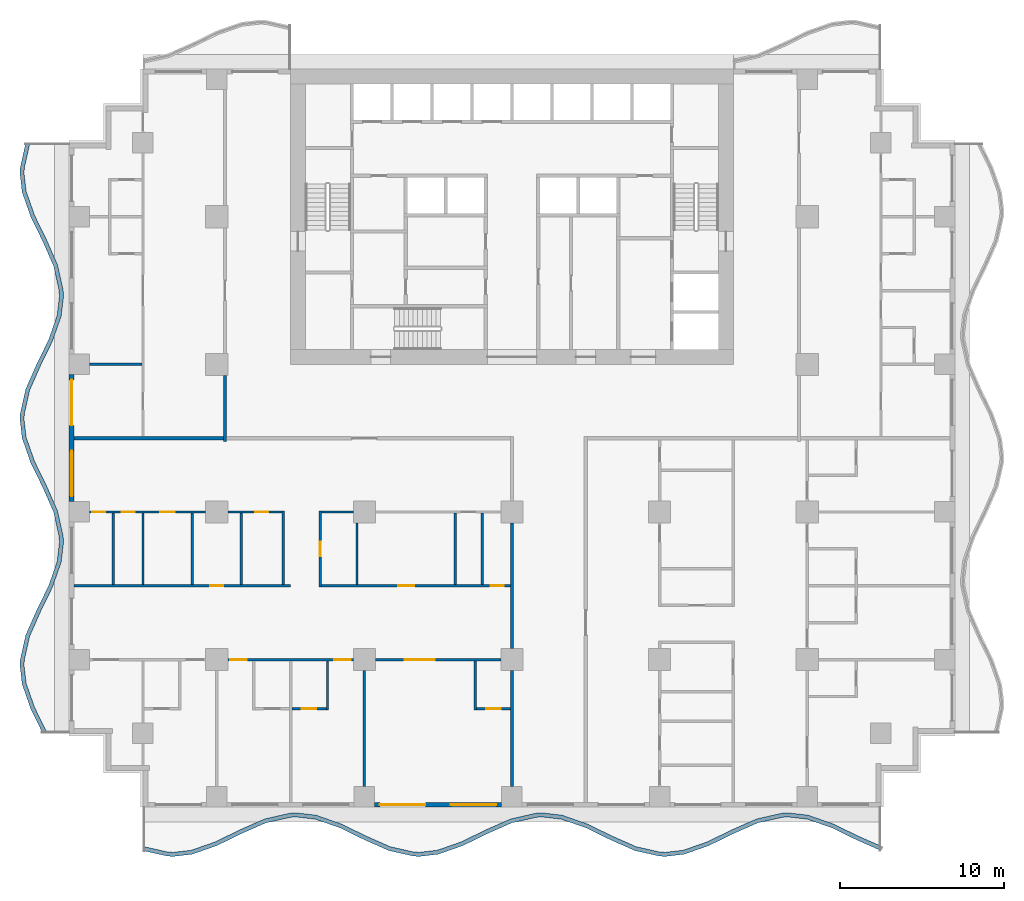
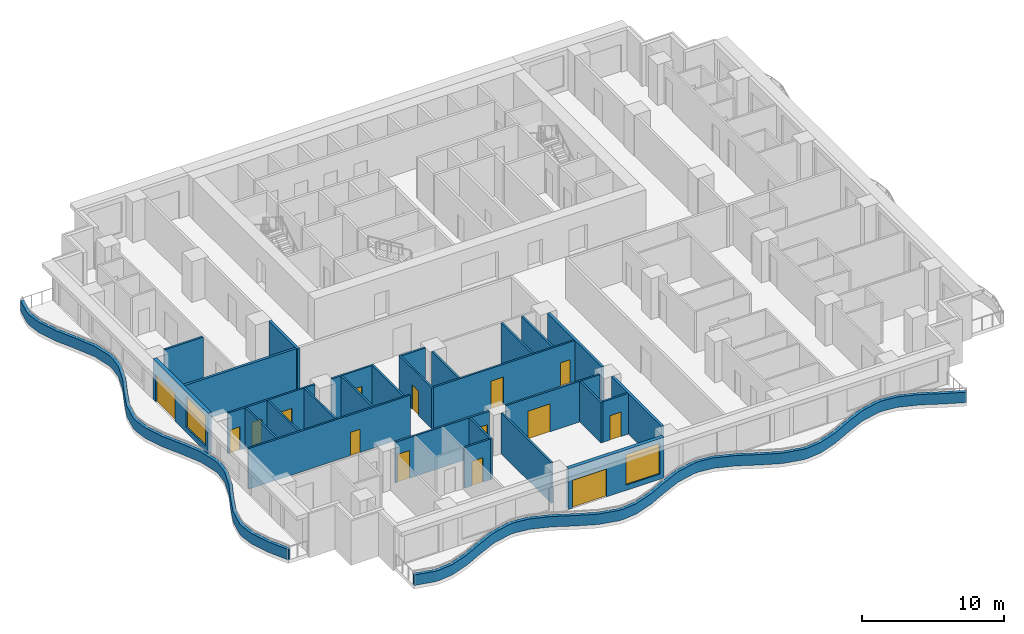
# One storey, part 2 of 14: 30 walls, 15 doors, 2 windows, 17 openings.
"""IFC4 building model written with IfcOpenShell, lengths in metres."""

import ifcopenshell
import ifcopenshell.guid

model = None  # the IFC model being written
_history = None  # IfcOwnerHistory: only IFC2X3 demands one
_inside = {}  # id of a spatial element -> (the spatial element, [elements in it])
_under = {}  # id of a project, library or spatial element -> (it, [spatial elements below it])
_declared = {}  # id of a project -> (the project, [libraries it declares])
_typed = {}  # id of a type object -> (the type object, [elements of that type])
_made_of = {}  # id of a material, layer set ... -> (it, [elements and type objects made of it])


def new_model(schema):
    """Start an empty IFC model of exactly this schema.

    Asked for "IFC4X3", IfcOpenShell would pick the latest addendum, in which some entities
    have other attributes; the version numbers below select the first issue.
    IFC2X3 requires an IfcOwnerHistory on every rooted entity: one is made here for all.
    """
    global model, _history
    if schema == "IFC4X3":
        model = ifcopenshell.file(schema_version=(4, 3, 0, 0))
    else:
        model = ifcopenshell.file(schema=schema)
    _inside.clear()
    _under.clear()
    _declared.clear()
    _typed.clear()
    _made_of.clear()
    _history = None
    if model.schema == "IFC2X3":
        org = make("IfcOrganization", Name="unknown")
        user = make(
            "IfcPersonAndOrganization",
            ThePerson=make("IfcPerson", FamilyName="unknown"),
            TheOrganization=org,
        )
        app = make(
            "IfcApplication",
            ApplicationDeveloper=org,
            Version="unknown",
            ApplicationFullName="unknown",
            ApplicationIdentifier="unknown",
        )
        _history = make(
            "IfcOwnerHistory",
            OwningUser=user,
            OwningApplication=app,
            ChangeAction="ADDED",
            CreationDate=0,
        )
    return model


def make(cls, **values):
    """One entity of the class cls with the attributes given. An attribute that is None is left unset."""
    return model.create_entity(
        cls, **{name: value for name, value in values.items() if value is not None}
    )


def rooted(cls, **values):
    """An entity with a GlobalId (a new one), such as an element, a storey or a relation."""
    return make(cls, GlobalId=ifcopenshell.guid.new(), OwnerHistory=_history, **values)


def si_unit(unit_type, name, prefix=None):
    """IfcSIUnit, for example si_unit("LENGTHUNIT", "METRE", prefix="MILLI")."""
    return make("IfcSIUnit", UnitType=unit_type, Prefix=prefix, Name=name)


def assignment(units):
    """IfcUnitAssignment: the units of a project."""
    return None if units is None else make("IfcUnitAssignment", Units=units)


def point(xyz):
    """IfcCartesianPoint."""
    return None if xyz is None else make("IfcCartesianPoint", Coordinates=xyz)


def direction(xyz):
    """IfcDirection."""
    return None if xyz is None else make("IfcDirection", DirectionRatios=xyz)


def frame(location, z_axis=None, x_axis=None):
    """IfcAxis2Placement3D, a coordinate frame: its origin and axes. An axis left out is left unset."""
    return make(
        "IfcAxis2Placement3D",
        Location=point(location),
        Axis=direction(z_axis),
        RefDirection=direction(x_axis),
    )


def frame_2d(location, x_axis=None):
    """IfcAxis2Placement2D, a coordinate frame in the plane: its origin and x axis."""
    return make(
        "IfcAxis2Placement2D", Location=point(location), RefDirection=direction(x_axis)
    )


def origin():
    """The frame at (0, 0, 0) with its axes left unset."""
    return frame((0.0, 0.0, 0.0))


def place(relative_to, where):
    """IfcLocalPlacement: puts the frame where relative to a parent placement (None: the world)."""
    return make(
        "IfcLocalPlacement", PlacementRelTo=relative_to, RelativePlacement=where
    )


def context(
    kind, dimensions, precision=None, world=None, true_north=None, identifier=None
):
    """IfcGeometricRepresentationContext, for example the 3D "Model" context."""
    return make(
        "IfcGeometricRepresentationContext",
        ContextIdentifier=identifier,
        ContextType=kind,
        CoordinateSpaceDimension=dimensions,
        Precision=precision,
        WorldCoordinateSystem=world,
        TrueNorth=true_north,
    )


def subcontext(parent, identifier, kind, view, scale=None):
    """IfcGeometricRepresentationSubContext, for example "Body" below "Model"."""
    return make(
        "IfcGeometricRepresentationSubContext",
        ContextIdentifier=identifier,
        ContextType=kind,
        ParentContext=parent,
        TargetScale=scale,
        TargetView=view,
    )


def project(units=None, contexts=None):
    """IfcProject with its units and contexts."""
    return rooted(
        "IfcProject",
        Name="project",
        RepresentationContexts=contexts,
        UnitsInContext=assignment(units),
    )


def spatial(cls, under=None, at=None, **own):
    """A site, building, storey or space (cls), placed at a placement, below another one or the project."""
    s = rooted(cls, ObjectPlacement=at, **own)
    if under is not None:
        _under.setdefault(under.id(), (under, []))[1].append(s)
    return s


def polyline(points):
    """IfcPolyline through the points."""
    return make("IfcPolyline", Points=[point(p) for p in points])


def profile(cls, at=None, kind="AREA", **sizes):
    """A parametric profile (cls). Its sizes go by their IFC names, for example OverallWidth=200.0."""
    return make(cls, ProfileType=kind, Position=at, **sizes)


def rectangle(**sizes):
    """IfcRectangleProfileDef."""
    return profile("IfcRectangleProfileDef", **sizes)


def outline(outer, holes=None, kind="AREA"):
    """IfcArbitraryClosedProfileDef: a profile drawn as a closed curve; with holes, ...WithVoids."""
    if holes is None:
        return make("IfcArbitraryClosedProfileDef", ProfileType=kind, OuterCurve=outer)
    return make(
        "IfcArbitraryProfileDefWithVoids",
        ProfileType=kind,
        OuterCurve=outer,
        InnerCurves=holes,
    )


def extrude(swept, where, along, depth):
    """IfcExtrudedAreaSolid: the profile swept, set in the frame where, extruded along a direction by depth."""
    return make(
        "IfcExtrudedAreaSolid",
        SweptArea=swept,
        Position=where,
        ExtrudedDirection=direction(along),
        Depth=depth,
    )


def shape(context_of_items, identifier, shape_type, items):
    """IfcShapeRepresentation: the items that make up one representation, for example the "Body"."""
    return make(
        "IfcShapeRepresentation",
        ContextOfItems=context_of_items,
        RepresentationIdentifier=identifier,
        RepresentationType=shape_type,
        Items=items,
    )


def material(Name=None, Category=None):
    """IfcMaterial."""
    return make("IfcMaterial", Name=Name, Category=Category)


def layer(
    of_material, thickness, ventilated=None, Name=None, Category=None, Priority=None
):
    """IfcMaterialLayer: one layer of a wall or slab, of a material (None: an air gap)."""
    return make(
        "IfcMaterialLayer",
        Material=of_material,
        LayerThickness=thickness,
        IsVentilated=ventilated,
        Name=Name,
        Category=Category,
        Priority=Priority,
    )


def layer_set(layers, Name=None):
    """IfcMaterialLayerSet."""
    return make("IfcMaterialLayerSet", MaterialLayers=layers, LayerSetName=Name)


def made_of(thing, what):
    """Note that an element or type object is made of a material, layer set ...; save() writes the relation."""
    if what is not None:
        _made_of.setdefault(what.id(), (what, []))[1].append(thing)
    return thing


def type_object(cls, material=None, **own):
    """A type object (cls), such as IfcWallType, which elements share."""
    return made_of(rooted(cls, **own), material)


def element(
    cls,
    number,
    at=None,
    inside=None,
    cuts=None,
    type_object=None,
    material=None,
    context=None,
    identifier="Body",
    shape_type=None,
    held_by="IfcProductDefinitionShape",
    body=None,
    shapes=None,
    **own,
):
    """One element of the class cls, such as IfcWall. Its Tag is "e" and its number.

    at: its placement. inside: the storey or other place that contains it. cuts: it is an
    opening in that element (IfcRelVoidsElement). A single representation is given by context,
    identifier, shape_type and body (its items); several are given by shapes. held_by: the class
    of the entity that holds the representations. save() writes the other relations.
    """
    e = rooted(cls, Tag="e%d" % number, ObjectPlacement=at, **own)
    if body is not None:
        shapes = [shape(context, identifier, shape_type, body)]
    if shapes is not None:
        e.Representation = make(held_by, Representations=shapes)
    if inside is not None:
        _inside.setdefault(inside.id(), (inside, []))[1].append(e)
    if cuts is not None:
        rooted(
            "IfcRelVoidsElement", RelatingBuildingElement=cuts, RelatedOpeningElement=e
        )
    if type_object is not None:
        _typed.setdefault(type_object.id(), (type_object, []))[1].append(e)
    return made_of(e, material)


def fill(opening, filler):
    """IfcRelFillsElement: the door or window that sits in an opening."""
    return rooted(
        "IfcRelFillsElement",
        RelatingOpeningElement=opening,
        RelatedBuildingElement=filler,
    )


def aggregate(whole, parts):
    """IfcRelAggregates: a whole, such as a stair, and the parts it consists of."""
    return rooted("IfcRelAggregates", RelatingObject=whole, RelatedObjects=parts)


def save(model, path):
    """Write the relations noted so far, then the file.

    IfcRelAggregates (storeys below a building ...), IfcRelContainedInSpatialStructure (elements
    in a storey), IfcRelDefinesByType, IfcRelAssociatesMaterial and IfcRelDeclares: one each for
    every whole, place, type object, material and project.
    """
    for whole, parts in _under.values():
        aggregate(whole, parts)
    for where, things in _inside.values():
        rooted(
            "IfcRelContainedInSpatialStructure",
            RelatedElements=things,
            RelatingStructure=where,
        )
    for kind, things in _typed.values():
        rooted("IfcRelDefinesByType", RelatedObjects=things, RelatingType=kind)
    for what, things in _made_of.values():
        rooted("IfcRelAssociatesMaterial", RelatedObjects=things, RelatingMaterial=what)
    for by, libraries in _declared.values():
        rooted("IfcRelDeclares", RelatingContext=by, RelatedDefinitions=libraries)
    model.write(path)


model = new_model("IFC4")

# Units and contexts
model_context = context("Model", 3, precision=1e-05, world=origin(), true_north=direction((0.0, 1.0)))
body_context = subcontext(model_context, "Body", "Model", "MODEL_VIEW")
ifc_project = project(units=[si_unit("LENGTHUNIT", "METRE"), si_unit("AREAUNIT", "SQUARE_METRE"), si_unit("VOLUMEUNIT", "CUBIC_METRE"), si_unit("PLANEANGLEUNIT", "RADIAN"), si_unit("MASSUNIT", "GRAM", prefix="KILO")], contexts=[model_context])

# Site, building, storey
site_placement = place(None, origin())
site = spatial("IfcSite", under=ifc_project, at=site_placement, CompositionType="ELEMENT")
building_placement = place(site_placement, origin())
building = spatial("IfcBuilding", under=site, at=building_placement, Name="Orbiselva Terraces", CompositionType="ELEMENT")
storey_placement = place(building_placement, frame((0.0, 0.0, 111.2)))
storey = spatial("IfcBuildingStorey", under=building, at=storey_placement, Name="L28", CompositionType="ELEMENT", Elevation=111.2)

# Walls
ifc_material_1 = material(Name="Concrete C40/50", Category="concrete")
ifc_layer_1 = layer(ifc_material_1, 0.25)
ifc_layer_set_1 = layer_set([ifc_layer_1], Name="Concrete C40/50")
wall_type_1 = type_object("IfcWallType", Name="ENV-PLANTER-250x900", PredefinedType="USERDEFINED", material=ifc_layer_set_1)
wall_1_placement = place(storey_placement, origin())
element("IfcWall", 1, at=wall_1_placement, inside=storey, type_object=wall_type_1, Name="Balcony planter L28 S", ObjectType="PLANTER", PredefinedType="USERDEFINED", context=body_context, shape_type="SweptSolid", body=[
    extrude(outline(polyline([(-22.5, -25.148528), (-21.0, -25.485226), (-20.625, -25.5), (-19.5, -25.369208), (-18.0, -24.844789), (-16.5, -24.112279), (-15.0, -23.451472), (-13.5, -23.114774), (-13.125, -23.1), (-12.0, -23.230792), (-10.5, -23.755211), (-9.0, -24.487721), (-7.5, -25.148528), (-6.0, -25.485226), (-5.625, -25.5), (-4.5, -25.369208), (-3.0, -24.844789), (-1.5, -24.112279), (0.0, -23.451472), (1.5, -23.114774), (1.875, -23.1), (3.0, -23.230792), (4.5, -23.755211), (6.0, -24.487721), (7.5, -25.148528), (9.0, -25.485226), (9.375, -25.5), (10.5, -25.369208), (12.0, -24.844789), (13.5, -24.112279), (15.0, -23.451472), (16.5, -23.114774), (16.875, -23.1), (18.0, -23.230792), (19.5, -23.755211), (21.0, -24.487721), (22.5, -25.148528), (22.600788, -24.919745), (21.105286, -24.260919), (19.59644, -23.524089), (18.056371, -22.985662), (16.884572, -22.849429), (16.467435, -22.865863), (14.921492, -23.212874), (13.394714, -23.885477), (11.90356, -24.613667), (10.443629, -25.124078), (9.365428, -25.249429), (9.032565, -25.236315), (7.578508, -24.90993), (6.105286, -24.260919), (4.59644, -23.524089), (3.056371, -22.985662), (1.884572, -22.849429), (1.467435, -22.865863), (-0.078508, -23.212874), (-1.605286, -23.885477), (-3.09644, -24.613667), (-4.556371, -25.124078), (-5.634572, -25.249429), (-5.967435, -25.236315), (-7.421492, -24.90993), (-8.894714, -24.260919), (-10.40356, -23.524089), (-11.943629, -22.985662), (-13.115428, -22.849429), (-13.532565, -22.865863), (-15.078508, -23.212874), (-16.605286, -23.885477), (-18.09644, -24.613667), (-19.556371, -25.124078), (-20.634572, -25.249429), (-20.967435, -25.236315), (-22.445246, -24.904598), (-22.5, -25.148528)])), origin(), (0.0, 0.0, 1.0), 0.9),
])
wall_2_placement = place(storey_placement, origin())
element("IfcWall", 2, at=wall_2_placement, inside=storey, type_object=wall_type_1, Name="Balcony planter L28 W", ObjectType="PLANTER", PredefinedType="USERDEFINED", context=body_context, shape_type="SweptSolid", body=[
    extrude(outline(polyline([(-29.648528, 18.0), (-29.985226, 16.5), (-30.0, 16.125), (-29.869208, 15.0), (-29.344789, 13.5), (-28.612279, 12.0), (-27.951472, 10.5), (-27.614774, 9.0), (-27.6, 8.625), (-27.730792, 7.5), (-28.255211, 6.0), (-28.987721, 4.5), (-29.648528, 3.0), (-29.985226, 1.5), (-30.0, 1.125), (-29.869208, 0.0), (-29.344789, -1.5), (-28.612279, -3.0), (-27.951472, -4.5), (-27.614774, -6.0), (-27.6, -6.375), (-27.730792, -7.5), (-28.255211, -9.0), (-28.987721, -10.5), (-29.648528, -12.0), (-29.985226, -13.5), (-30.0, -13.875), (-29.869208, -15.0), (-29.344789, -16.5), (-28.612279, -18.0), (-28.387634, -17.890297), (-29.113667, -16.40356), (-29.624078, -14.943629), (-29.749429, -13.865428), (-29.736315, -13.532565), (-29.40993, -12.078508), (-28.760919, -10.605286), (-28.024089, -9.09644), (-27.485662, -7.556371), (-27.349429, -6.384572), (-27.365863, -5.967435), (-27.712874, -4.421492), (-28.385477, -2.894714), (-29.113667, -1.40356), (-29.624078, 0.056371), (-29.749429, 1.134572), (-29.736315, 1.467435), (-29.40993, 2.921492), (-28.760919, 4.394714), (-28.024089, 5.90356), (-27.485662, 7.443629), (-27.349429, 8.615428), (-27.365863, 9.032565), (-27.712874, 10.578508), (-28.385477, 12.105286), (-29.113667, 13.59644), (-29.624078, 15.056371), (-29.749429, 16.134572), (-29.736315, 16.467435), (-29.404598, 17.945246), (-29.648528, 18.0)])), origin(), (0.0, 0.0, 1.0), 0.9),
])

# Wall, openings, door, window
ifc_material_2 = material(Name="Terracotta cladding on masonry backing", Category="masonry")
ifc_layer_2 = layer(ifc_material_2, 0.3)
ifc_layer_set_2 = layer_set([ifc_layer_2], Name="Terracotta cladding on masonry backing")
wall_type_2 = type_object("IfcWallType", Name="ENV-WALL-TERRACOTTA-300", PredefinedType="SOLIDWALL", material=ifc_layer_set_2)
wall_3_placement = place(storey_placement, frame((-0.625, -22.35, 0.0), z_axis=(0.0, 0.0, 1.0), x_axis=(-1.0, 0.0, 0.0)))
wall_3 = element("IfcWall", 3, at=wall_3_placement, inside=storey, type_object=wall_type_2, Name="Facade wall L28 S", PredefinedType="SOLIDWALL", context=body_context, shape_type="SweptSolid", body=[
    extrude(rectangle(XDim=7.75, YDim=0.3, at=frame_2d((3.875, 0.0))), origin(), (0.0, 0.0, 1.0), 3.5),
])
opening_1_placement = place(wall_3_placement, frame((4.65, 0.0, 0.0)))
opening_1 = element("IfcOpeningElement", 4, at=opening_1_placement, cuts=wall_3, Name="Opening Z2-D-E18", PredefinedType="OPENING", context=body_context, shape_type="SweptSolid", body=[
    extrude(rectangle(XDim=2.775, YDim=2.4, at=frame_2d((1.3875, 1.2))), frame((0.0, 0.16, 0.0), z_axis=(0.0, -1.0, 0.0), x_axis=(1.0, 0.0, 0.0)), (0.0, 0.0, 1.0), 0.32),
])
opening_2_placement = place(wall_3_placement, frame((0.325, 0.0, 0.45)))
opening_2 = element("IfcOpeningElement", 5, at=opening_2_placement, cuts=wall_3, Name="Opening WN6", PredefinedType="OPENING", context=body_context, shape_type="SweptSolid", body=[
    extrude(rectangle(XDim=2.775, YDim=2.65, at=frame_2d((1.3875, 1.325))), frame((0.0, 0.16, 0.0), z_axis=(0.0, -1.0, 0.0), x_axis=(1.0, 0.0, 0.0)), (0.0, 0.0, 1.0), 0.32),
])
ifc_material_3 = material(Name="Clear low-e glazing in aluminium frame", Category="aluminium")
door_type_1 = type_object("IfcDoorType", Name="BALCONY DOOR 2775 X 2400", OperationType="DOUBLE_DOOR_SLIDING", PredefinedType="DOOR", material=ifc_material_3)
door_1_placement = place(opening_1_placement, origin())
door_1 = element("IfcDoor", 6, at=door_1_placement, inside=storey, type_object=door_type_1, Name="Z2-D-E18", OperationType="SINGLE_SWING_LEFT", OverallHeight=2.4, OverallWidth=2.775, PredefinedType="DOOR", context=body_context, shape_type="SweptSolid", body=[
    extrude(rectangle(XDim=2.775, YDim=2.4, at=frame_2d((1.3875, 1.2))), frame((0.0, 0.025, 0.0), z_axis=(0.0, -1.0, 0.0), x_axis=(1.0, 0.0, 0.0)), (0.0, 0.0, 1.0), 0.05),
])
fill(opening_1, door_1)
window_type = type_object("IfcWindowType", Name="WINDOW 2775 X 2650 S450", PartitioningType="TRIPLE_PANEL_VERTICAL", PredefinedType="WINDOW", material=ifc_material_3)
window_1_placement = place(opening_2_placement, origin())
window_1 = element("IfcWindow", 7, at=window_1_placement, inside=storey, type_object=window_type, Name="Window L28 S", OverallHeight=2.65, OverallWidth=2.775, PartitioningType="SINGLE_PANEL", PredefinedType="WINDOW", context=body_context, shape_type="SweptSolid", body=[
    extrude(rectangle(XDim=2.775, YDim=2.65, at=frame_2d((1.3875, 1.325))), frame((0.0, 0.03, 0.0), z_axis=(0.0, -1.0, 0.0), x_axis=(1.0, 0.0, 0.0)), (0.0, 0.0, 1.0), 0.06),
])
fill(opening_2, window_1)

wall_4_placement = place(storey_placement, frame((-26.85, -3.875, 0.0), z_axis=(0.0, 0.0, 1.0), x_axis=(0.0, 1.0, 0.0)))
wall_4 = element("IfcWall", 8, at=wall_4_placement, inside=storey, type_object=wall_type_2, Name="Facade wall L28 W", PredefinedType="SOLIDWALL", context=body_context, shape_type="SweptSolid", body=[
    extrude(rectangle(XDim=7.75, YDim=0.3, at=frame_2d((3.875, 0.0))), origin(), (0.0, 0.0, 1.0), 3.5),
])
opening_3_placement = place(wall_4_placement, frame((4.65, 0.0, 0.0)))
opening_3 = element("IfcOpeningElement", 9, at=opening_3_placement, cuts=wall_4, Name="Opening Z2-D-E22", PredefinedType="OPENING", context=body_context, shape_type="SweptSolid", body=[
    extrude(rectangle(XDim=2.775, YDim=2.4, at=frame_2d((1.3875, 1.2))), frame((0.0, 0.16, 0.0), z_axis=(0.0, -1.0, 0.0), x_axis=(1.0, 0.0, 0.0)), (0.0, 0.0, 1.0), 0.32),
])
opening_4_placement = place(wall_4_placement, frame((0.325, 0.0, 0.45)))
opening_4 = element("IfcOpeningElement", 10, at=opening_4_placement, cuts=wall_4, Name="Opening WN6", PredefinedType="OPENING", context=body_context, shape_type="SweptSolid", body=[
    extrude(rectangle(XDim=2.775, YDim=2.65, at=frame_2d((1.3875, 1.325))), frame((0.0, 0.16, 0.0), z_axis=(0.0, -1.0, 0.0), x_axis=(1.0, 0.0, 0.0)), (0.0, 0.0, 1.0), 0.32),
])
door_2_placement = place(opening_3_placement, origin())
door_2 = element("IfcDoor", 11, at=door_2_placement, inside=storey, type_object=door_type_1, Name="Z2-D-E22", OperationType="SINGLE_SWING_LEFT", OverallHeight=2.4, OverallWidth=2.775, PredefinedType="DOOR", context=body_context, shape_type="SweptSolid", body=[
    extrude(rectangle(XDim=2.775, YDim=2.4, at=frame_2d((1.3875, 1.2))), frame((0.0, 0.025, 0.0), z_axis=(0.0, -1.0, 0.0), x_axis=(1.0, 0.0, 0.0)), (0.0, 0.0, 1.0), 0.05),
])
fill(opening_3, door_2)
window_2_placement = place(opening_4_placement, origin())
window_2 = element("IfcWindow", 12, at=window_2_placement, inside=storey, type_object=window_type, Name="Window L28 W", OverallHeight=2.65, OverallWidth=2.775, PartitioningType="SINGLE_PANEL", PredefinedType="WINDOW", context=body_context, shape_type="SweptSolid", body=[
    extrude(rectangle(XDim=2.775, YDim=2.65, at=frame_2d((1.3875, 1.325))), frame((0.0, 0.03, 0.0), z_axis=(0.0, -1.0, 0.0), x_axis=(1.0, 0.0, 0.0)), (0.0, 0.0, 1.0), 0.06),
])
fill(opening_4, window_2)

# Walls
ifc_material_4 = material(Name="Plasterboard on steel stud partition", Category="steel")
ifc_layer_3 = layer(ifc_material_4, 0.2)
ifc_layer_set_3 = layer_set([ifc_layer_3], Name="Plasterboard on steel stud partition")
wall_type_3 = type_object("IfcWallType", Name="UNIT-ENTRANCE-WALL-200", PredefinedType="PARTITIONING", material=ifc_layer_set_3)
wall_5_placement = place(storey_placement, frame((-17.5, -0.2, 0.0), z_axis=(0.0, 0.0, 1.0), x_axis=(0.0, 1.0, 0.0)))
element("IfcWall", 13, at=wall_5_placement, inside=storey, type_object=wall_type_3, Name="PARTITION L28-055", PredefinedType="PARTITIONING", context=body_context, shape_type="SweptSolid", body=[
    extrude(rectangle(XDim=4.025, YDim=0.2, at=frame_2d((2.0125, 0.0))), origin(), (0.0, 0.0, 1.0), 3.5),
])
wall_6_placement = place(storey_placement, frame((0.0, -21.25, 0.0), z_axis=(0.0, 0.0, 1.0), x_axis=(0.0, 1.0, 0.0)))
element("IfcWall", 14, at=wall_6_placement, inside=storey, type_object=wall_type_3, Name="PARTITION L28-069", PredefinedType="PARTITIONING", context=body_context, shape_type="SweptSolid", body=[
    extrude(rectangle(XDim=7.075, YDim=0.2, at=frame_2d((3.5375, 0.0))), origin(), (0.0, 0.0, 1.0), 3.5),
])
wall_7_placement = place(storey_placement, frame((0.0, -12.825, 0.0), z_axis=(0.0, 0.0, 1.0), x_axis=(0.0, 1.0, 0.0)))
element("IfcWall", 15, at=wall_7_placement, inside=storey, type_object=wall_type_3, Name="PARTITION L28-070", PredefinedType="PARTITIONING", context=body_context, shape_type="SweptSolid", body=[
    extrude(rectangle(XDim=7.65, YDim=0.2, at=frame_2d((3.825, 0.0))), origin(), (0.0, 0.0, 1.0), 3.5),
])

# Wall, opening, door
ifc_layer_4 = layer(ifc_material_4, 0.15)
ifc_layer_set_4 = layer_set([ifc_layer_4], Name="Plasterboard on steel stud partition")
wall_type_4 = type_object("IfcWallType", Name="UNIT-PARTITION-150", PredefinedType="PARTITIONING", material=ifc_layer_set_4)
wall_8_placement = place(storey_placement, frame((-13.425, -16.5, 0.0), z_axis=(0.0, 0.0, 1.0), x_axis=(1.0, 0.0, 0.0)))
wall_8 = element("IfcWall", 16, at=wall_8_placement, inside=storey, type_object=wall_type_4, Name="PARTITION L28-005", PredefinedType="PARTITIONING", context=body_context, shape_type="SweptSolid", body=[
    extrude(rectangle(XDim=2.1, YDim=0.15, at=frame_2d((1.05, 0.0))), origin(), (0.0, 0.0, 1.0), 3.5),
])
opening_5_placement = place(wall_8_placement, frame((0.6, 0.0, 0.0)))
opening_5 = element("IfcOpeningElement", 17, at=opening_5_placement, cuts=wall_8, Name="Opening Z2-D-28", PredefinedType="OPENING", context=body_context, shape_type="SweptSolid", body=[
    extrude(rectangle(XDim=0.9, YDim=2.1, at=frame_2d((0.45, 1.05))), frame((0.0, 0.085, 0.0), z_axis=(0.0, -1.0, 0.0), x_axis=(1.0, 0.0, 0.0)), (0.0, 0.0, 1.0), 0.17),
])
ifc_material_5 = material(Name="Painted timber door leaf", Category="wood")
door_type_2 = type_object("IfcDoorType", Name="BATH DOOR 900", OperationType="NOTDEFINED", PredefinedType="DOOR", material=ifc_material_5)
door_3_placement = place(opening_5_placement, origin())
door_3 = element("IfcDoor", 18, at=door_3_placement, inside=storey, type_object=door_type_2, Name="Z2-D-28", OperationType="SINGLE_SWING_LEFT", OverallHeight=2.1, OverallWidth=0.9, PredefinedType="DOOR", context=body_context, shape_type="SweptSolid", body=[
    extrude(rectangle(XDim=0.9, YDim=2.1, at=frame_2d((0.45, 1.05))), frame((0.0, 0.025, 0.0), z_axis=(0.0, -1.0, 0.0), x_axis=(1.0, 0.0, 0.0)), (0.0, 0.0, 1.0), 0.05),
])
fill(opening_5, door_3)

wall_9_placement = place(storey_placement, frame((-2.175, -16.5, 0.0), z_axis=(0.0, 0.0, 1.0), x_axis=(1.0, 0.0, 0.0)))
wall_9 = element("IfcWall", 19, at=wall_9_placement, inside=storey, type_object=wall_type_4, Name="PARTITION L28-006", PredefinedType="PARTITIONING", context=body_context, shape_type="SweptSolid", body=[
    extrude(rectangle(XDim=2.075, YDim=0.15, at=frame_2d((1.0375, 0.0))), origin(), (0.0, 0.0, 1.0), 3.5),
])
opening_6_placement = place(wall_9_placement, frame((0.6, 0.0, 0.0)))
opening_6 = element("IfcOpeningElement", 20, at=opening_6_placement, cuts=wall_9, Name="Opening Z2-D-26", PredefinedType="OPENING", context=body_context, shape_type="SweptSolid", body=[
    extrude(rectangle(XDim=0.9, YDim=2.1, at=frame_2d((0.45, 1.05))), frame((0.0, 0.085, 0.0), z_axis=(0.0, -1.0, 0.0), x_axis=(1.0, 0.0, 0.0)), (0.0, 0.0, 1.0), 0.17),
])
door_4_placement = place(opening_6_placement, origin())
door_4 = element("IfcDoor", 21, at=door_4_placement, inside=storey, type_object=door_type_2, Name="Z2-D-26", OperationType="SINGLE_SWING_RIGHT", OverallHeight=2.1, OverallWidth=0.9, PredefinedType="DOOR", context=body_context, shape_type="SweptSolid", body=[
    extrude(rectangle(XDim=0.9, YDim=2.1, at=frame_2d((0.45, 1.05))), frame((0.0, 0.025, 0.0), z_axis=(0.0, -1.0, 0.0), x_axis=(1.0, 0.0, 0.0)), (0.0, 0.0, 1.0), 0.05),
])
fill(opening_6, door_4)

# Wall, openings, doors
wall_10_placement = place(storey_placement, frame((-9.675, -13.5, 0.0), z_axis=(0.0, 0.0, 1.0), x_axis=(-1.0, 0.0, 0.0)))
wall_10 = element("IfcWall", 22, at=wall_10_placement, inside=storey, type_object=wall_type_4, Name="PARTITION L28-010", PredefinedType="PARTITIONING", context=body_context, shape_type="SweptSolid", body=[
    extrude(rectangle(XDim=7.65, YDim=0.15, at=frame_2d((3.825, 0.0))), origin(), (0.0, 0.0, 1.0), 3.5),
])
opening_7_placement = place(wall_10_placement, frame((0.15, 0.0, 0.0)))
opening_7 = element("IfcOpeningElement", 23, at=opening_7_placement, cuts=wall_10, Name="Opening Z2-D-27", PredefinedType="OPENING", context=body_context, shape_type="SweptSolid", body=[
    extrude(rectangle(XDim=1.0, YDim=2.4, at=frame_2d((0.5, 1.2))), frame((0.0, 0.085, 0.0), z_axis=(0.0, -1.0, 0.0), x_axis=(1.0, 0.0, 0.0)), (0.0, 0.0, 1.0), 0.17),
])
opening_8_placement = place(wall_10_placement, frame((6.5, 0.0, 0.0)))
opening_8 = element("IfcOpeningElement", 24, at=opening_8_placement, cuts=wall_10, Name="Opening Z2-D-29", PredefinedType="OPENING", context=body_context, shape_type="SweptSolid", body=[
    extrude(rectangle(XDim=1.0, YDim=2.4, at=frame_2d((0.5, 1.2))), frame((0.0, 0.085, 0.0), z_axis=(0.0, -1.0, 0.0), x_axis=(1.0, 0.0, 0.0)), (0.0, 0.0, 1.0), 0.17),
])
door_type_3 = type_object("IfcDoorType", Name="ROOM DOOR 1000", OperationType="NOTDEFINED", PredefinedType="DOOR", material=ifc_material_5)
door_5_placement = place(opening_7_placement, origin())
door_5 = element("IfcDoor", 25, at=door_5_placement, inside=storey, type_object=door_type_3, Name="Z2-D-27", OperationType="SINGLE_SWING_LEFT", OverallHeight=2.4, OverallWidth=1.0, PredefinedType="DOOR", context=body_context, shape_type="SweptSolid", body=[
    extrude(rectangle(XDim=1.0, YDim=2.4, at=frame_2d((0.5, 1.2))), frame((0.0, 0.025, 0.0), z_axis=(0.0, -1.0, 0.0), x_axis=(1.0, 0.0, 0.0)), (0.0, 0.0, 1.0), 0.05),
])
fill(opening_7, door_5)
door_6_placement = place(opening_8_placement, origin())
door_6 = element("IfcDoor", 26, at=door_6_placement, inside=storey, type_object=door_type_3, Name="Z2-D-29", OperationType="SINGLE_SWING_RIGHT", OverallHeight=2.4, OverallWidth=1.0, PredefinedType="DOOR", context=body_context, shape_type="SweptSolid", body=[
    extrude(rectangle(XDim=1.0, YDim=2.4, at=frame_2d((0.5, 1.2))), frame((0.0, 0.025, 0.0), z_axis=(0.0, -1.0, 0.0), x_axis=(1.0, 0.0, 0.0)), (0.0, 0.0, 1.0), 0.05),
])
fill(opening_8, door_6)

# Wall, opening, door
wall_11_placement = place(storey_placement, frame((-0.675, -13.5, 0.0), z_axis=(0.0, 0.0, 1.0), x_axis=(-1.0, 0.0, 0.0)))
wall_11 = element("IfcWall", 27, at=wall_11_placement, inside=storey, type_object=wall_type_4, Name="PARTITION L28-011", PredefinedType="PARTITIONING", context=body_context, shape_type="SweptSolid", body=[
    extrude(rectangle(XDim=7.65, YDim=0.15, at=frame_2d((3.825, 0.0))), origin(), (0.0, 0.0, 1.0), 3.5),
])
opening_9_placement = place(wall_11_placement, frame((4.05, 0.0, 0.0)))
opening_9 = element("IfcOpeningElement", 28, at=opening_9_placement, cuts=wall_11, Name="Opening Z2-D-25", PredefinedType="OPENING", context=body_context, shape_type="SweptSolid", body=[
    extrude(rectangle(XDim=1.8, YDim=2.4, at=frame_2d((0.9, 1.2))), frame((0.0, 0.085, 0.0), z_axis=(0.0, -1.0, 0.0), x_axis=(1.0, 0.0, 0.0)), (0.0, 0.0, 1.0), 0.17),
])
door_type_4 = type_object("IfcDoorType", Name="DOUBLE DOOR 1800", OperationType="NOTDEFINED", PredefinedType="DOOR", material=ifc_material_5)
door_7_placement = place(opening_9_placement, origin())
door_7 = element("IfcDoor", 29, at=door_7_placement, inside=storey, type_object=door_type_4, Name="Z2-D-25", OperationType="DOUBLE_DOOR_SINGLE_SWING", OverallHeight=2.4, OverallWidth=1.8, PredefinedType="DOOR", context=body_context, shape_type="SweptSolid", body=[
    extrude(rectangle(XDim=1.8, YDim=2.4, at=frame_2d((0.9, 1.2))), frame((0.0, 0.025, 0.0), z_axis=(0.0, -1.0, 0.0), x_axis=(1.0, 0.0, 0.0)), (0.0, 0.0, 1.0), 0.05),
])
fill(opening_9, door_7)

wall_12_placement = place(storey_placement, frame((-26.7, -9.0, 0.0), z_axis=(0.0, 0.0, 1.0), x_axis=(1.0, 0.0, 0.0)))
wall_12 = element("IfcWall", 30, at=wall_12_placement, inside=storey, type_object=wall_type_4, Name="PARTITION L28-016", PredefinedType="PARTITIONING", context=body_context, shape_type="SweptSolid", body=[
    extrude(rectangle(XDim=13.2, YDim=0.15, at=frame_2d((6.6, 0.0))), origin(), (0.0, 0.0, 1.0), 3.5),
])
opening_10_placement = place(wall_12_placement, frame((8.3, 0.0, 0.0)))
opening_10 = element("IfcOpeningElement", 31, at=opening_10_placement, cuts=wall_12, Name="Opening Z2-D-21", PredefinedType="OPENING", context=body_context, shape_type="SweptSolid", body=[
    extrude(rectangle(XDim=0.8, YDim=2.0, at=frame_2d((0.4, 1.0))), frame((0.0, 0.085, 0.0), z_axis=(0.0, -1.0, 0.0), x_axis=(1.0, 0.0, 0.0)), (0.0, 0.0, 1.0), 0.17),
])
door_type_5 = type_object("IfcDoorType", Name="STORE DOOR 800", OperationType="NOTDEFINED", PredefinedType="DOOR", material=ifc_material_5)
door_8_placement = place(opening_10_placement, origin())
door_8 = element("IfcDoor", 32, at=door_8_placement, inside=storey, type_object=door_type_5, Name="Z2-D-21", OperationType="SINGLE_SWING_RIGHT", OverallHeight=2.0, OverallWidth=0.8, PredefinedType="DOOR", context=body_context, shape_type="SweptSolid", body=[
    extrude(rectangle(XDim=0.8, YDim=2.0, at=frame_2d((0.4, 1.0))), frame((0.0, 0.025, 0.0), z_axis=(0.0, -1.0, 0.0), x_axis=(1.0, 0.0, 0.0)), (0.0, 0.0, 1.0), 0.05),
])
fill(opening_10, door_8)

# Wall, openings, doors
wall_13_placement = place(storey_placement, frame((-11.625, -9.0, 0.0), z_axis=(0.0, 0.0, 1.0), x_axis=(1.0, 0.0, 0.0)))
wall_13 = element("IfcWall", 33, at=wall_13_placement, inside=storey, type_object=wall_type_4, Name="PARTITION L28-017", PredefinedType="PARTITIONING", context=body_context, shape_type="SweptSolid", body=[
    extrude(rectangle(XDim=11.525, YDim=0.15, at=frame_2d((5.7625, 0.0))), origin(), (0.0, 0.0, 1.0), 3.5),
])
opening_11_placement = place(wall_13_placement, frame((10.325, 0.0, 0.0)))
opening_11 = element("IfcOpeningElement", 34, at=opening_11_placement, cuts=wall_13, Name="Opening Z2-D-16", PredefinedType="OPENING", context=body_context, shape_type="SweptSolid", body=[
    extrude(rectangle(XDim=0.8, YDim=2.0, at=frame_2d((0.4, 1.0))), frame((0.0, 0.085, 0.0), z_axis=(0.0, -1.0, 0.0), x_axis=(1.0, 0.0, 0.0)), (0.0, 0.0, 1.0), 0.17),
])
opening_12_placement = place(wall_13_placement, frame((4.675, 0.0, 0.0)))
opening_12 = element("IfcOpeningElement", 35, at=opening_12_placement, cuts=wall_13, Name="Opening Z2-D-18", PredefinedType="OPENING", context=body_context, shape_type="SweptSolid", body=[
    extrude(rectangle(XDim=1.0, YDim=2.4, at=frame_2d((0.5, 1.2))), frame((0.0, 0.085, 0.0), z_axis=(0.0, -1.0, 0.0), x_axis=(1.0, 0.0, 0.0)), (0.0, 0.0, 1.0), 0.17),
])
door_9_placement = place(opening_12_placement, origin())
door_9 = element("IfcDoor", 36, at=door_9_placement, inside=storey, type_object=door_type_3, Name="Z2-D-18", OperationType="SINGLE_SWING_LEFT", OverallHeight=2.4, OverallWidth=1.0, PredefinedType="DOOR", context=body_context, shape_type="SweptSolid", body=[
    extrude(rectangle(XDim=1.0, YDim=2.4, at=frame_2d((0.5, 1.2))), frame((0.0, 0.025, 0.0), z_axis=(0.0, -1.0, 0.0), x_axis=(1.0, 0.0, 0.0)), (0.0, 0.0, 1.0), 0.05),
])
fill(opening_12, door_9)
door_10_placement = place(opening_11_placement, origin())
door_10 = element("IfcDoor", 37, at=door_10_placement, inside=storey, type_object=door_type_5, Name="Z2-D-16", OperationType="SINGLE_SWING_RIGHT", OverallHeight=2.0, OverallWidth=0.8, PredefinedType="DOOR", context=body_context, shape_type="SweptSolid", body=[
    extrude(rectangle(XDim=0.8, YDim=2.0, at=frame_2d((0.4, 1.0))), frame((0.0, 0.025, 0.0), z_axis=(0.0, -1.0, 0.0), x_axis=(1.0, 0.0, 0.0)), (0.0, 0.0, 1.0), 0.05),
])
fill(opening_11, door_10)

wall_14_placement = place(storey_placement, frame((-18.675, -4.5, 0.0), z_axis=(0.0, 0.0, 1.0), x_axis=(-1.0, 0.0, 0.0)))
wall_14 = element("IfcWall", 38, at=wall_14_placement, inside=storey, type_object=wall_type_4, Name="PARTITION L28-022", PredefinedType="PARTITIONING", context=body_context, shape_type="SweptSolid", body=[
    extrude(rectangle(XDim=7.075, YDim=0.15, at=frame_2d((3.5375, 0.0))), origin(), (0.0, 0.0, 1.0), 3.5),
])
opening_13_placement = place(wall_14_placement, frame((1.875, 0.0, 0.0)))
opening_13 = element("IfcOpeningElement", 39, at=opening_13_placement, cuts=wall_14, Name="Opening Z2-D-22", PredefinedType="OPENING", context=body_context, shape_type="SweptSolid", body=[
    extrude(rectangle(XDim=0.9, YDim=2.1, at=frame_2d((0.45, 1.05))), frame((0.0, 0.085, 0.0), z_axis=(0.0, -1.0, 0.0), x_axis=(1.0, 0.0, 0.0)), (0.0, 0.0, 1.0), 0.17),
])
opening_14_placement = place(wall_14_placement, frame((4.325, 0.0, 0.0)))
opening_14 = element("IfcOpeningElement", 40, at=opening_14_placement, cuts=wall_14, Name="Opening Z2-D-23", PredefinedType="OPENING", context=body_context, shape_type="SweptSolid", body=[
    extrude(rectangle(XDim=0.8, YDim=2.0, at=frame_2d((0.4, 1.0))), frame((0.0, 0.085, 0.0), z_axis=(0.0, -1.0, 0.0), x_axis=(1.0, 0.0, 0.0)), (0.0, 0.0, 1.0), 0.17),
])
opening_15_placement = place(wall_14_placement, frame((6.125, 0.0, 0.0)))
opening_15 = element("IfcOpeningElement", 41, at=opening_15_placement, cuts=wall_14, Name="Opening Z2-D-24", PredefinedType="OPENING", context=body_context, shape_type="SweptSolid", body=[
    extrude(rectangle(XDim=0.8, YDim=2.0, at=frame_2d((0.4, 1.0))), frame((0.0, 0.085, 0.0), z_axis=(0.0, -1.0, 0.0), x_axis=(1.0, 0.0, 0.0)), (0.0, 0.0, 1.0), 0.17),
])
door_type_6 = type_object("IfcDoorType", Name="SERVICE DOOR 900", OperationType="NOTDEFINED", PredefinedType="DOOR", material=ifc_material_5)
door_11_placement = place(opening_13_placement, origin())
door_11 = element("IfcDoor", 42, at=door_11_placement, inside=storey, type_object=door_type_6, Name="Z2-D-22", OperationType="SINGLE_SWING_LEFT", OverallHeight=2.1, OverallWidth=0.9, PredefinedType="DOOR", context=body_context, shape_type="SweptSolid", body=[
    extrude(rectangle(XDim=0.9, YDim=2.1, at=frame_2d((0.45, 1.05))), frame((0.0, 0.025, 0.0), z_axis=(0.0, -1.0, 0.0), x_axis=(1.0, 0.0, 0.0)), (0.0, 0.0, 1.0), 0.05),
])
fill(opening_13, door_11)
door_12_placement = place(opening_14_placement, origin())
door_12 = element("IfcDoor", 43, at=door_12_placement, inside=storey, type_object=door_type_5, Name="Z2-D-23", OperationType="SINGLE_SWING_RIGHT", OverallHeight=2.0, OverallWidth=0.8, PredefinedType="DOOR", context=body_context, shape_type="SweptSolid", body=[
    extrude(rectangle(XDim=0.8, YDim=2.0, at=frame_2d((0.4, 1.0))), frame((0.0, 0.025, 0.0), z_axis=(0.0, -1.0, 0.0), x_axis=(1.0, 0.0, 0.0)), (0.0, 0.0, 1.0), 0.05),
])
fill(opening_14, door_12)
door_13_placement = place(opening_15_placement, origin())
door_13 = element("IfcDoor", 44, at=door_13_placement, inside=storey, type_object=door_type_5, Name="Z2-D-24", OperationType="SINGLE_SWING_RIGHT", OverallHeight=2.0, OverallWidth=0.8, PredefinedType="DOOR", context=body_context, shape_type="SweptSolid", body=[
    extrude(rectangle(XDim=0.8, YDim=2.0, at=frame_2d((0.4, 1.0))), frame((0.0, 0.025, 0.0), z_axis=(0.0, -1.0, 0.0), x_axis=(1.0, 0.0, 0.0)), (0.0, 0.0, 1.0), 0.05),
])
fill(opening_15, door_13)

# Wall, opening, door
wall_15_placement = place(storey_placement, frame((-14.025, -4.5, 0.0), z_axis=(0.0, 0.0, 1.0), x_axis=(-1.0, 0.0, 0.0)))
wall_15 = element("IfcWall", 45, at=wall_15_placement, inside=storey, type_object=wall_type_4, Name="PARTITION L28-023", PredefinedType="PARTITIONING", context=body_context, shape_type="SweptSolid", body=[
    extrude(rectangle(XDim=3.3, YDim=0.15, at=frame_2d((1.65, 0.0))), origin(), (0.0, 0.0, 1.0), 3.5),
])
opening_16_placement = place(wall_15_placement, frame((0.825, 0.0, 0.0)))
opening_16 = element("IfcOpeningElement", 46, at=opening_16_placement, cuts=wall_15, Name="Opening Z2-D-20", PredefinedType="OPENING", context=body_context, shape_type="SweptSolid", body=[
    extrude(rectangle(XDim=0.8, YDim=2.0, at=frame_2d((0.4, 1.0))), frame((0.0, 0.085, 0.0), z_axis=(0.0, -1.0, 0.0), x_axis=(1.0, 0.0, 0.0)), (0.0, 0.0, 1.0), 0.17),
])
door_14_placement = place(opening_16_placement, origin())
door_14 = element("IfcDoor", 47, at=door_14_placement, inside=storey, type_object=door_type_5, Name="Z2-D-20", OperationType="SINGLE_SWING_LEFT", OverallHeight=2.0, OverallWidth=0.8, PredefinedType="DOOR", context=body_context, shape_type="SweptSolid", body=[
    extrude(rectangle(XDim=0.8, YDim=2.0, at=frame_2d((0.4, 1.0))), frame((0.0, 0.025, 0.0), z_axis=(0.0, -1.0, 0.0), x_axis=(1.0, 0.0, 0.0)), (0.0, 0.0, 1.0), 0.05),
])
fill(opening_16, door_14)

# Walls
wall_16_placement = place(storey_placement, frame((-11.625, -4.5, 0.0), z_axis=(0.0, 0.0, 1.0), x_axis=(1.0, 0.0, 0.0)))
element("IfcWall", 48, at=wall_16_placement, inside=storey, type_object=wall_type_4, Name="PARTITION L28-024", PredefinedType="PARTITIONING", context=body_context, shape_type="SweptSolid", body=[
    extrude(rectangle(XDim=1.95, YDim=0.15, at=frame_2d((0.975, 0.0))), origin(), (0.0, 0.0, 1.0), 3.5),
])
wall_17_placement = place(storey_placement, frame((-25.75, 4.5, 0.0), z_axis=(0.0, 0.0, 1.0), x_axis=(1.0, 0.0, 0.0)))
element("IfcWall", 49, at=wall_17_placement, inside=storey, type_object=wall_type_4, Name="PARTITION L28-033", PredefinedType="PARTITIONING", context=body_context, shape_type="SweptSolid", body=[
    extrude(rectangle(XDim=3.175, YDim=0.15, at=frame_2d((1.5875, 0.0))), origin(), (0.0, 0.0, 1.0), 3.5),
])
for number, where, z_axis, x_axis, name in (
    (50, (-24.3, -8.925, 0.0), (0.0, 0.0, 1.0), (0.0, 1.0, 0.0), "PARTITION L28-046"),
    (51, (-22.5, -8.925, 0.0), (0.0, 0.0, 1.0), (0.0, 1.0, 0.0), "PARTITION L28-049"),
    (52, (-19.5, -8.925, 0.0), (0.0, 0.0, 1.0), (0.0, 1.0, 0.0), "PARTITION L28-053"),
    (53, (-16.5, -8.925, 0.0), (0.0, 0.0, 1.0), (0.0, 1.0, 0.0), "PARTITION L28-058"),
):
    element("IfcWall", number, at=place(storey_placement, frame(where, z_axis=z_axis, x_axis=x_axis)), inside=storey, type_object=wall_type_4, Name=name, PredefinedType="PARTITIONING", context=body_context, shape_type="SweptSolid", body=[
        extrude(rectangle(XDim=4.35, YDim=0.15, at=frame_2d((2.175, 0.0))), origin(), (0.0, 0.0, 1.0), 3.5),
    ])
wall_18_placement = place(storey_placement, frame((-13.95, -8.925, 0.0), z_axis=(0.0, 0.0, 1.0), x_axis=(0.0, 1.0, 0.0)))
element("IfcWall", 54, at=wall_18_placement, inside=storey, type_object=wall_type_4, Name="PARTITION L28-060", PredefinedType="PARTITIONING", context=body_context, shape_type="SweptSolid", body=[
    extrude(rectangle(XDim=4.5, YDim=0.15, at=frame_2d((2.25, 0.0))), origin(), (0.0, 0.0, 1.0), 3.5),
])

# Wall, opening, door
wall_19_placement = place(storey_placement, frame((-11.7, -4.425, 0.0), z_axis=(0.0, 0.0, 1.0), x_axis=(0.0, -1.0, 0.0)))
wall_19 = element("IfcWall", 55, at=wall_19_placement, inside=storey, type_object=wall_type_4, Name="PARTITION L28-062", PredefinedType="PARTITIONING", context=body_context, shape_type="SweptSolid", body=[
    extrude(rectangle(XDim=4.65, YDim=0.15, at=frame_2d((2.325, 0.0))), origin(), (0.0, 0.0, 1.0), 3.5),
])
opening_17_placement = place(wall_19_placement, frame((1.875, 0.0, 0.0)))
opening_17 = element("IfcOpeningElement", 56, at=opening_17_placement, cuts=wall_19, Name="Opening Z2-D-19", PredefinedType="OPENING", context=body_context, shape_type="SweptSolid", body=[
    extrude(rectangle(XDim=0.9, YDim=2.1, at=frame_2d((0.45, 1.05))), frame((0.0, 0.085, 0.0), z_axis=(0.0, -1.0, 0.0), x_axis=(1.0, 0.0, 0.0)), (0.0, 0.0, 1.0), 0.17),
])
door_15_placement = place(opening_17_placement, origin())
door_15 = element("IfcDoor", 57, at=door_15_placement, inside=storey, type_object=door_type_2, Name="Z2-D-19", OperationType="SINGLE_SWING_RIGHT", OverallHeight=2.1, OverallWidth=0.9, PredefinedType="DOOR", context=body_context, shape_type="SweptSolid", body=[
    extrude(rectangle(XDim=0.9, YDim=2.1, at=frame_2d((0.45, 1.05))), frame((0.0, 0.025, 0.0), z_axis=(0.0, -1.0, 0.0), x_axis=(1.0, 0.0, 0.0)), (0.0, 0.0, 1.0), 0.05),
])
fill(opening_17, door_15)

# Walls
wall_20_placement = place(storey_placement, frame((-11.25, -16.575, 0.0), z_axis=(0.0, 0.0, 1.0), x_axis=(0.0, 1.0, 0.0)))
element("IfcWall", 58, at=wall_20_placement, inside=storey, type_object=wall_type_4, Name="PARTITION L28-063", PredefinedType="PARTITIONING", context=body_context, shape_type="SweptSolid", body=[
    extrude(rectangle(XDim=3.0, YDim=0.15, at=frame_2d((1.5, 0.0))), origin(), (0.0, 0.0, 1.0), 3.5),
])
wall_21_placement = place(storey_placement, frame((-9.45, -8.925, 0.0), z_axis=(0.0, 0.0, 1.0), x_axis=(0.0, 1.0, 0.0)))
element("IfcWall", 59, at=wall_21_placement, inside=storey, type_object=wall_type_4, Name="PARTITION L28-064", PredefinedType="PARTITIONING", context=body_context, shape_type="SweptSolid", body=[
    extrude(rectangle(XDim=3.75, YDim=0.15, at=frame_2d((1.875, 0.0))), origin(), (0.0, 0.0, 1.0), 3.5),
])
wall_22_placement = place(storey_placement, frame((-9.0, -21.25, 0.0), z_axis=(0.0, 0.0, 1.0), x_axis=(0.0, 1.0, 0.0)))
element("IfcWall", 60, at=wall_22_placement, inside=storey, type_object=wall_type_4, Name="PARTITION L28-065", PredefinedType="PARTITIONING", context=body_context, shape_type="SweptSolid", body=[
    extrude(rectangle(XDim=7.075, YDim=0.15, at=frame_2d((3.5375, 0.0))), origin(), (0.0, 0.0, 1.0), 3.5),
])
wall_23_placement = place(storey_placement, frame((-3.45, -8.925, 0.0), z_axis=(0.0, 0.0, 1.0), x_axis=(0.0, 1.0, 0.0)))
element("IfcWall", 61, at=wall_23_placement, inside=storey, type_object=wall_type_4, Name="PARTITION L28-066", PredefinedType="PARTITIONING", context=body_context, shape_type="SweptSolid", body=[
    extrude(rectangle(XDim=4.35, YDim=0.15, at=frame_2d((2.175, 0.0))), origin(), (0.0, 0.0, 1.0), 3.5),
])
wall_24_placement = place(storey_placement, frame((-2.25, -16.575, 0.0), z_axis=(0.0, 0.0, 1.0), x_axis=(0.0, 1.0, 0.0)))
element("IfcWall", 62, at=wall_24_placement, inside=storey, type_object=wall_type_4, Name="PARTITION L28-067", PredefinedType="PARTITIONING", context=body_context, shape_type="SweptSolid", body=[
    extrude(rectangle(XDim=3.0, YDim=0.15, at=frame_2d((1.5, 0.0))), origin(), (0.0, 0.0, 1.0), 3.5),
])
wall_25_placement = place(storey_placement, frame((-1.8, -8.925, 0.0), z_axis=(0.0, 0.0, 1.0), x_axis=(0.0, 1.0, 0.0)))
element("IfcWall", 63, at=wall_25_placement, inside=storey, type_object=wall_type_4, Name="PARTITION L28-068", PredefinedType="PARTITIONING", context=body_context, shape_type="SweptSolid", body=[
    extrude(rectangle(XDim=4.35, YDim=0.15, at=frame_2d((2.175, 0.0))), origin(), (0.0, 0.0, 1.0), 3.5),
])
ifc_layer_5 = layer(ifc_material_4, 0.2)
ifc_layer_set_5 = layer_set([ifc_layer_5], Name="Plasterboard on steel stud partition")
wall_type_5 = type_object("IfcWallType", Name="UNIT-PARTY-WALL-200", PredefinedType="PARTITIONING", material=ifc_layer_set_5)
wall_26_placement = place(storey_placement, frame((-26.7, 0.0, 0.0), z_axis=(0.0, 0.0, 1.0), x_axis=(1.0, 0.0, 0.0)))
element("IfcWall", 64, at=wall_26_placement, inside=storey, type_object=wall_type_5, Name="PARTITION L28-031", PredefinedType="PARTITIONING", context=body_context, shape_type="SweptSolid", body=[
    extrude(rectangle(XDim=9.1, YDim=0.2, at=frame_2d((4.55, 0.0))), origin(), (0.0, 0.0, 1.0), 3.5),
])

save(model, "model.ifc")
